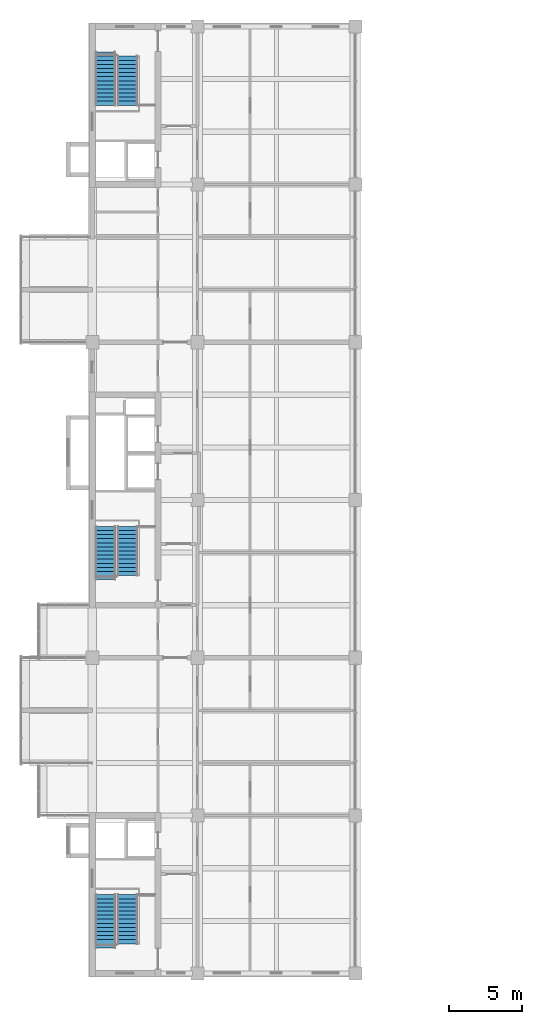
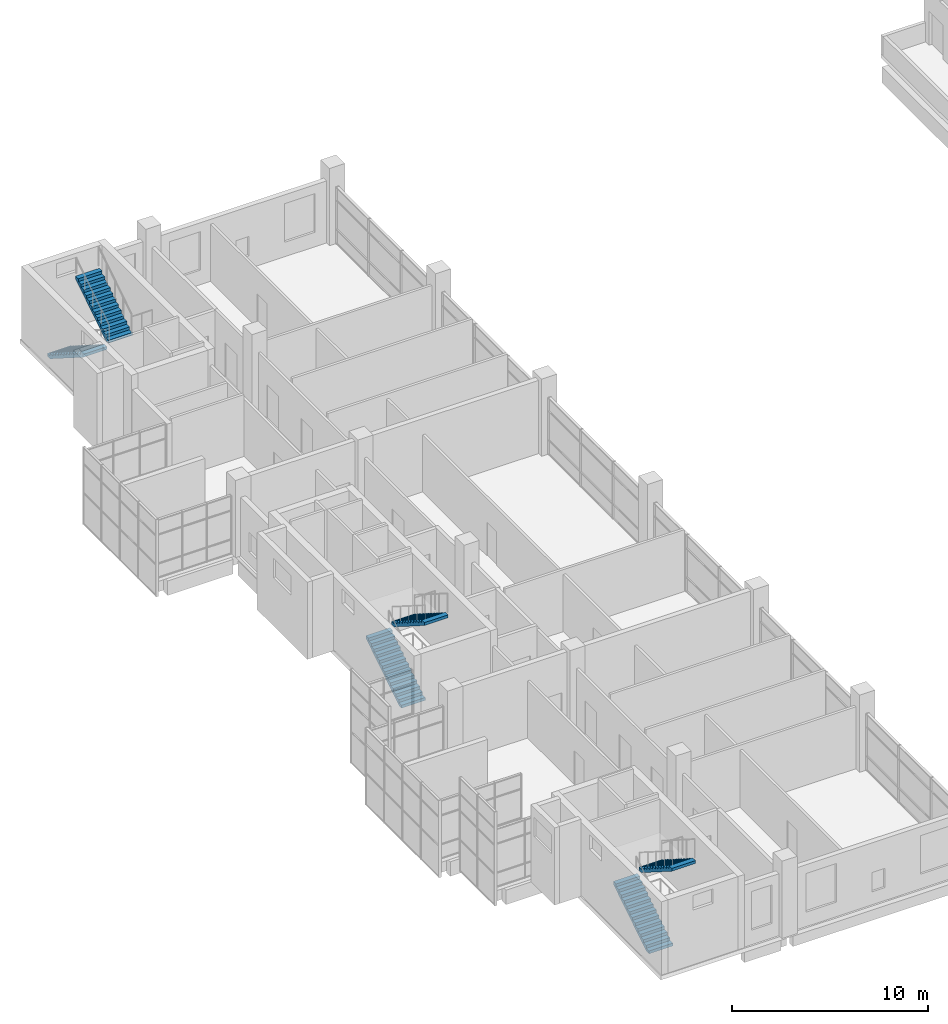
# One storey, part 21 of 23: 6 stair flights, 3 elements without a shape of their own.
"""IFC4 building model written with IfcOpenShell, lengths in metres."""

from ifc_helpers import new_model, si_unit, direction, frame, origin, place, context, subcontext, project, spatial, polyline, outline, extrude, material, type_object, element, aggregate, save


model = new_model("IFC4")

# Units and contexts
model_context = context("Model", 3, precision=1e-05, world=origin(), true_north=direction((0.0, 1.0)))
body_context = subcontext(model_context, "Body", "Model", "MODEL_VIEW")
ifc_project = project(units=[si_unit("LENGTHUNIT", "METRE"), si_unit("AREAUNIT", "SQUARE_METRE"), si_unit("VOLUMEUNIT", "CUBIC_METRE"), si_unit("PLANEANGLEUNIT", "RADIAN"), si_unit("MASSUNIT", "GRAM", prefix="KILO")], contexts=[model_context])

# Site, building, storey
site_placement = place(None, origin())
site = spatial("IfcSite", under=ifc_project, at=site_placement, CompositionType="ELEMENT")
building_placement = place(site_placement, origin())
building = spatial("IfcBuilding", under=site, at=building_placement, Name="Basin Gate Institute", CompositionType="ELEMENT")
storey_placement = place(building_placement, frame((0.0, 0.0, 46.199951171875)))
storey = spatial("IfcBuildingStorey", under=building, at=storey_placement, Name="L09", CompositionType="ELEMENT", Elevation=46.199951171875)

# Stair, stair flights
ifc_material_1 = material(Name="Concrete 40 MPa", Category="concrete")
stair_type = type_object("IfcStairType", Name="Stair ST", PredefinedType="HALF_TURN_STAIR", material=ifc_material_1)
stair_1_placement = place(storey_placement, origin())
stair_1 = element("IfcStair", 1, at=stair_1_placement, inside=storey, type_object=stair_type, material=ifc_material_1, Name="Special safe stair ST-WS L09", PredefinedType="HALF_TURN_STAIR")
ifc_material_2 = material(Name="Concrete 40 MPa", Category="concrete")
stair_flight_type = type_object("IfcStairFlightType", Name="Stair flight FL", PredefinedType="STRAIGHT", material=ifc_material_2)
stair_flight_1_placement = place(storey_placement, frame((62.10009765625, 36.85009765625, 0.0), z_axis=(0.0, 0.0, 1.0), x_axis=(0.0, 1.0, 0.0)))
stair_flight_1 = element("IfcStairFlight", 2, at=stair_flight_1_placement, type_object=stair_flight_type, material=ifc_material_2, Name="Stair flight ST-WS-F1 L09", NumberOfRisers=14, NumberOfTreads=13, PredefinedType="STRAIGHT", RiserHeight=0.177777778, TreadLength=0.28, context=body_context, shape_type="SweptSolid", body=[
    extrude(outline(polyline([(0.0, 0.0), (0.0, 0.177734375), (0.280029296875, 0.177734375), (0.280029296875, 0.35546875), (0.56005859375, 0.35546875), (0.56005859375, 0.533447265625), (0.840087890625, 0.533447265625), (0.840087890625, 0.711181640625), (1.1201171875, 0.711181640625), (1.1201171875, 0.888916015625), (1.39990234375, 0.888916015625), (1.39990234375, 1.066650390625), (1.679931640625, 1.066650390625), (1.679931640625, 1.244384765625), (1.9599609375, 1.244384765625), (1.9599609375, 1.422119140625), (2.239990234375, 1.422119140625), (2.239990234375, 1.60009765625), (2.52001953125, 1.60009765625), (2.52001953125, 1.77783203125), (2.800048828125, 1.77783203125), (2.800048828125, 1.95556640625), (3.080078125, 1.95556640625), (3.080078125, 2.13330078125), (3.360107421875, 2.13330078125), (3.360107421875, 2.31103515625), (3.639892578125, 2.31103515625), (3.639892578125, 2.48876953125), (3.639892578125, 2.133544921875), (0.27978515625, 0.0), (0.0, 0.0)])), frame((0.0, 0.699951171875, 0.0), z_axis=(0.0, -1.0, 0.0), x_axis=(1.0, 0.0, 0.0)), (0.0, 0.0, 1.0), 1.39990234375),
])
stair_flight_2_placement = place(storey_placement, frame((63.60009765625, 40.489990234375, 2.489013671875), z_axis=(0.0, 0.0, 1.0), x_axis=(0.0, -1.0, 0.0)))
stair_flight_2 = element("IfcStairFlight", 3, at=stair_flight_2_placement, type_object=stair_flight_type, material=ifc_material_2, Name="Stair flight ST-WS-F2 L09", NumberOfRisers=13, NumberOfTreads=12, PredefinedType="STRAIGHT", RiserHeight=0.177777778, TreadLength=0.28, context=body_context, shape_type="SweptSolid", body=[
    extrude(outline(polyline([(0.0, 0.0), (0.0, 0.177734375), (0.280029296875, 0.177734375), (0.280029296875, 0.35546875), (0.56005859375, 0.35546875), (0.56005859375, 0.533447265625), (0.840087890625, 0.533447265625), (0.840087890625, 0.711181640625), (1.1201171875, 0.711181640625), (1.1201171875, 0.888916015625), (1.39990234375, 0.888916015625), (1.39990234375, 1.066650390625), (1.679931640625, 1.066650390625), (1.679931640625, 1.244384765625), (1.9599609375, 1.244384765625), (1.9599609375, 1.422119140625), (2.239990234375, 1.422119140625), (2.239990234375, 1.60009765625), (2.52001953125, 1.60009765625), (2.52001953125, 1.77783203125), (2.800048828125, 1.77783203125), (2.800048828125, 1.95556640625), (3.080078125, 1.95556640625), (3.080078125, 2.13330078125), (3.360107421875, 2.13330078125), (3.360107421875, 2.31103515625), (3.360107421875, 1.955810546875), (0.27978515625, 0.0), (0.0, 0.0)])), frame((0.0, 0.699951171875, 0.0), z_axis=(0.0, -1.0, 0.0), x_axis=(1.0, 0.0, 0.0)), (0.0, 0.0, 1.0), 1.39990234375),
])
aggregate(stair_1, [stair_flight_1, stair_flight_2])

stair_2_placement = place(storey_placement, origin())
stair_2 = element("IfcStair", 4, at=stair_2_placement, inside=storey, type_object=stair_type, material=ifc_material_1, Name="Special safe stair ST-WM L09", PredefinedType="HALF_TURN_STAIR")
stair_flight_3_placement = place(storey_placement, frame((62.10009765625, 62.050048828125, 0.0), z_axis=(0.0, 0.0, 1.0), x_axis=(0.0, 1.0, 0.0)))
stair_flight_3 = element("IfcStairFlight", 5, at=stair_flight_3_placement, type_object=stair_flight_type, material=ifc_material_2, Name="Stair flight ST-WM-F1 L09", NumberOfRisers=14, NumberOfTreads=13, PredefinedType="STRAIGHT", RiserHeight=0.177777778, TreadLength=0.28, context=body_context, shape_type="SweptSolid", body=[
    extrude(outline(polyline([(0.0, 0.0), (0.0, 0.177734375), (0.280029296875, 0.177734375), (0.280029296875, 0.35546875), (0.56005859375, 0.35546875), (0.56005859375, 0.533447265625), (0.840087890625, 0.533447265625), (0.840087890625, 0.711181640625), (1.1201171875, 0.711181640625), (1.1201171875, 0.888916015625), (1.39990234375, 0.888916015625), (1.39990234375, 1.066650390625), (1.679931640625, 1.066650390625), (1.679931640625, 1.244384765625), (1.9599609375, 1.244384765625), (1.9599609375, 1.422119140625), (2.239990234375, 1.422119140625), (2.239990234375, 1.60009765625), (2.52001953125, 1.60009765625), (2.52001953125, 1.77783203125), (2.800048828125, 1.77783203125), (2.800048828125, 1.95556640625), (3.080078125, 1.95556640625), (3.080078125, 2.13330078125), (3.360107421875, 2.13330078125), (3.360107421875, 2.31103515625), (3.639892578125, 2.31103515625), (3.639892578125, 2.48876953125), (3.639892578125, 2.133544921875), (0.27978515625, 0.0), (0.0, 0.0)])), frame((0.0, 0.699951171875, 0.0), z_axis=(0.0, -1.0, 0.0), x_axis=(1.0, 0.0, 0.0)), (0.0, 0.0, 1.0), 1.39990234375),
])
stair_flight_4_placement = place(storey_placement, frame((63.60009765625, 65.68994140625, 2.489013671875), z_axis=(0.0, 0.0, 1.0), x_axis=(0.0, -1.0, 0.0)))
stair_flight_4 = element("IfcStairFlight", 6, at=stair_flight_4_placement, type_object=stair_flight_type, material=ifc_material_2, Name="Stair flight ST-WM-F2 L09", NumberOfRisers=13, NumberOfTreads=12, PredefinedType="STRAIGHT", RiserHeight=0.177777778, TreadLength=0.28, context=body_context, shape_type="SweptSolid", body=[
    extrude(outline(polyline([(0.0, 0.0), (0.0, 0.177734375), (0.280029296875, 0.177734375), (0.280029296875, 0.35546875), (0.56005859375, 0.35546875), (0.56005859375, 0.533447265625), (0.840087890625, 0.533447265625), (0.840087890625, 0.711181640625), (1.1201171875, 0.711181640625), (1.1201171875, 0.888916015625), (1.39990234375, 0.888916015625), (1.39990234375, 1.066650390625), (1.679931640625, 1.066650390625), (1.679931640625, 1.244384765625), (1.9599609375, 1.244384765625), (1.9599609375, 1.422119140625), (2.239990234375, 1.422119140625), (2.239990234375, 1.60009765625), (2.52001953125, 1.60009765625), (2.52001953125, 1.77783203125), (2.800048828125, 1.77783203125), (2.800048828125, 1.95556640625), (3.080078125, 1.95556640625), (3.080078125, 2.13330078125), (3.360107421875, 2.13330078125), (3.360107421875, 2.31103515625), (3.360107421875, 1.955810546875), (0.27978515625, 0.0), (0.0, 0.0)])), frame((0.0, 0.699951171875, 0.0), z_axis=(0.0, -1.0, 0.0), x_axis=(1.0, 0.0, 0.0)), (0.0, 0.0, 1.0), 1.39990234375),
])
aggregate(stair_2, [stair_flight_3, stair_flight_4])

stair_3_placement = place(storey_placement, origin())
stair_3 = element("IfcStair", 7, at=stair_3_placement, inside=storey, type_object=stair_type, material=ifc_material_1, Name="Special safe stair ST-WN L09", PredefinedType="HALF_TURN_STAIR")
stair_flight_5_placement = place(storey_placement, frame((62.10009765625, 98.14990234375, 0.0), z_axis=(0.0, 0.0, 1.0), x_axis=(0.0, -1.0, 0.0)))
stair_flight_5 = element("IfcStairFlight", 8, at=stair_flight_5_placement, type_object=stair_flight_type, material=ifc_material_2, Name="Stair flight ST-WN-F1 L09", NumberOfRisers=14, NumberOfTreads=13, PredefinedType="STRAIGHT", RiserHeight=0.177777778, TreadLength=0.28, context=body_context, shape_type="SweptSolid", body=[
    extrude(outline(polyline([(0.0, 0.0), (0.0, 0.177734375), (0.280029296875, 0.177734375), (0.280029296875, 0.35546875), (0.56005859375, 0.35546875), (0.56005859375, 0.533447265625), (0.840087890625, 0.533447265625), (0.840087890625, 0.711181640625), (1.1201171875, 0.711181640625), (1.1201171875, 0.888916015625), (1.39990234375, 0.888916015625), (1.39990234375, 1.066650390625), (1.679931640625, 1.066650390625), (1.679931640625, 1.244384765625), (1.9599609375, 1.244384765625), (1.9599609375, 1.422119140625), (2.239990234375, 1.422119140625), (2.239990234375, 1.60009765625), (2.52001953125, 1.60009765625), (2.52001953125, 1.77783203125), (2.800048828125, 1.77783203125), (2.800048828125, 1.95556640625), (3.080078125, 1.95556640625), (3.080078125, 2.13330078125), (3.360107421875, 2.13330078125), (3.360107421875, 2.31103515625), (3.639892578125, 2.31103515625), (3.639892578125, 2.48876953125), (3.639892578125, 2.133544921875), (0.27978515625, 0.0), (0.0, 0.0)])), frame((0.0, 0.699951171875, 0.0), z_axis=(0.0, -1.0, 0.0), x_axis=(1.0, 0.0, 0.0)), (0.0, 0.0, 1.0), 1.39990234375),
])
stair_flight_6_placement = place(storey_placement, frame((63.60009765625, 94.510009765625, 2.489013671875), z_axis=(0.0, 0.0, 1.0), x_axis=(0.0, 1.0, 0.0)))
stair_flight_6 = element("IfcStairFlight", 9, at=stair_flight_6_placement, type_object=stair_flight_type, material=ifc_material_2, Name="Stair flight ST-WN-F2 L09", NumberOfRisers=13, NumberOfTreads=12, PredefinedType="STRAIGHT", RiserHeight=0.177777778, TreadLength=0.28, context=body_context, shape_type="SweptSolid", body=[
    extrude(outline(polyline([(0.0, 0.0), (0.0, 0.177734375), (0.280029296875, 0.177734375), (0.280029296875, 0.35546875), (0.56005859375, 0.35546875), (0.56005859375, 0.533447265625), (0.840087890625, 0.533447265625), (0.840087890625, 0.711181640625), (1.1201171875, 0.711181640625), (1.1201171875, 0.888916015625), (1.39990234375, 0.888916015625), (1.39990234375, 1.066650390625), (1.679931640625, 1.066650390625), (1.679931640625, 1.244384765625), (1.9599609375, 1.244384765625), (1.9599609375, 1.422119140625), (2.239990234375, 1.422119140625), (2.239990234375, 1.60009765625), (2.52001953125, 1.60009765625), (2.52001953125, 1.77783203125), (2.800048828125, 1.77783203125), (2.800048828125, 1.95556640625), (3.080078125, 1.95556640625), (3.080078125, 2.13330078125), (3.360107421875, 2.13330078125), (3.360107421875, 2.31103515625), (3.360107421875, 1.955810546875), (0.27978515625, 0.0), (0.0, 0.0)])), frame((0.0, 0.699951171875, 0.0), z_axis=(0.0, -1.0, 0.0), x_axis=(1.0, 0.0, 0.0)), (0.0, 0.0, 1.0), 1.39990234375),
])
aggregate(stair_3, [stair_flight_5, stair_flight_6])

save(model, "model.ifc")
